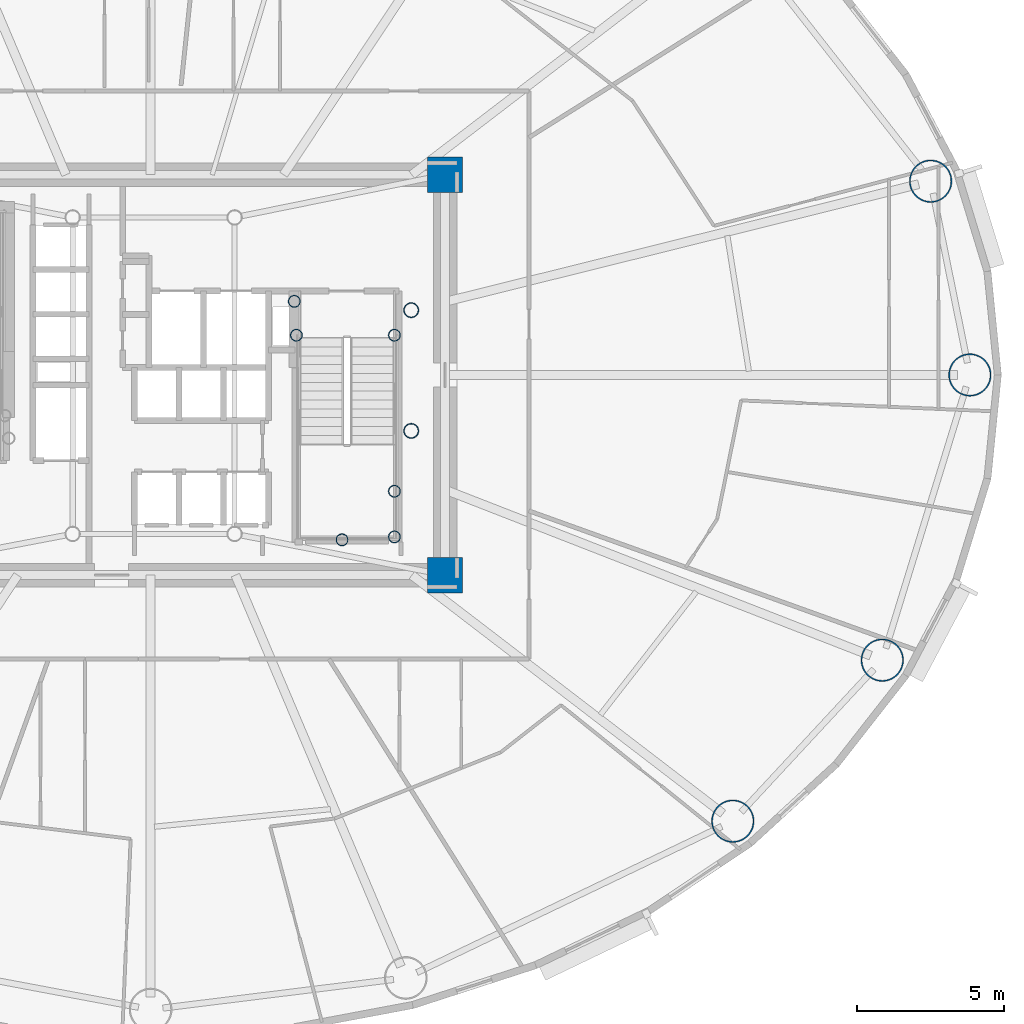
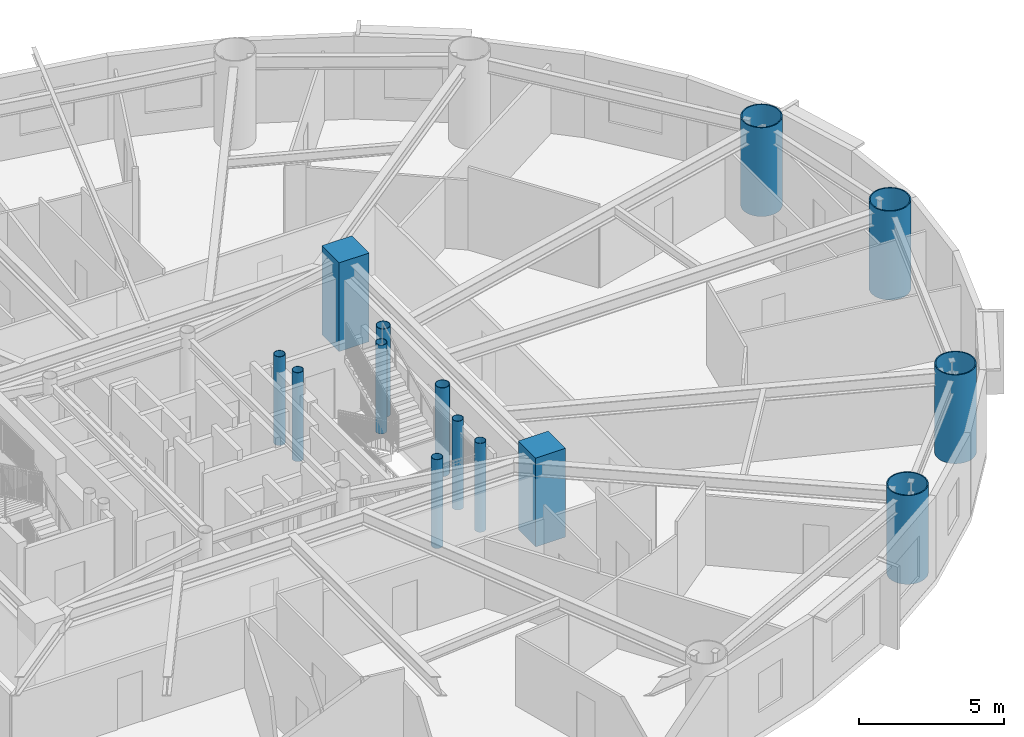
# One storey, part 2 of 18: 14 columns.
"""IFC4 building model written with IfcOpenShell, lengths in metres."""

from ifc_helpers import new_model, si_unit, direction, frame, origin, origin_2d, place, context, subcontext, project, spatial, rectangle, hollow_circle, extrude, material, material_profile, profile_set, type_object, element, save


model = new_model("IFC4")

# Units and contexts
model_context = context("Model", 3, precision=1e-05, world=origin(), true_north=direction((0.0, 1.0)))
body_context = subcontext(model_context, "Body", "Model", "MODEL_VIEW")
ifc_project = project(units=[si_unit("LENGTHUNIT", "METRE"), si_unit("AREAUNIT", "SQUARE_METRE"), si_unit("VOLUMEUNIT", "CUBIC_METRE"), si_unit("PLANEANGLEUNIT", "RADIAN"), si_unit("MASSUNIT", "GRAM", prefix="KILO")], contexts=[model_context])

# Site, building, storey
site_placement = place(None, origin())
site = spatial("IfcSite", under=ifc_project, at=site_placement, CompositionType="ELEMENT")
building_placement = place(site_placement, origin())
building = spatial("IfcBuilding", under=site, at=building_placement, Name="Linh Dai School and Residence Tower", CompositionType="ELEMENT")
storey_placement = place(building_placement, frame((0.0, 0.0, 123.449951171875)))
storey = spatial("IfcBuildingStorey", under=building, at=storey_placement, Name="L29", CompositionType="ELEMENT", Elevation=123.449951171875)

# Columns
ifc_material_1 = material(Name="Concrete B60 (C50/60)", Category="concrete")
ifc_material_profile_1 = material_profile(ifc_material_1, rectangle(XDim=1.199951171875, YDim=1.199951171875, at=origin_2d()), Name="RC 1200x1200")
ifc_profile_set_1 = profile_set([ifc_material_profile_1], Name="Concrete B60 (C50/60)")
column_type_1 = type_object("IfcColumnType", Name="COL-CC2", PredefinedType="COLUMN", material=ifc_profile_set_1)
for number, where, z_axis, x_axis, name in (
    (1, (46.0, 20.199951171875, 0.0), (0.0, 0.0, 1.0), (1.0, 0.0, 0.0), "L29 Core Corner Pier CC2"),
    (2, (46.0, 33.800048828125, 0.0), (0.0, 0.0, 1.0), (1.0, 0.0, 0.0), "L29 Core Corner Pier CC3"),
):
    element("IfcColumn", number, at=place(storey_placement, frame(where, z_axis=z_axis, x_axis=x_axis)), inside=storey, type_object=column_type_1, Name=name, PredefinedType="COLUMN", context=body_context, shape_type="SweptSolid", body=[
        extrude(rectangle(XDim=1.199951171875, YDim=1.199951171875, at=origin_2d()), origin(), (0.0, 0.0, 1.0), 3.75),
    ])
ifc_material_2 = material(Name="Structural Steel S355JR", Category="steel")
ifc_material_profile_2 = material_profile(ifc_material_2, hollow_circle(Radius=0.203125, WallThickness=0.01611328125, at=origin_2d()), Name="CHS 406.4x16")
ifc_profile_set_2 = profile_set([ifc_material_profile_2], Name="Structural Steel S355JR")
column_type_2 = type_object("IfcColumnType", Name="COL-EC", PredefinedType="COLUMN", material=ifc_profile_set_2)
for number, where, z_axis, x_axis, name in (
    (3, (44.280029296875, 21.5, 0.0), (0.0, 0.0, 1.0), (1.0, 0.0, 0.0), "L29 Stair Shaft Landing Support Pier ST2SE"),
    (4, (44.280029296875, 23.050048828125, 0.0), (0.0, 0.0, 1.0), (1.0, 0.0, 0.0), "L29 Stair Shaft Landing Support Pier ST2NE"),
    (5, (42.5, 21.39990234375, 0.0), (0.0, 0.0, 1.0), (1.0, 0.0, 0.0), "L29 Stair Shaft Landing Support Pier ST2MS"),
    (6, (40.949951171875, 28.35009765625, 0.0), (0.0, 0.0, 1.0), (1.0, 0.0, 0.0), "L29 Stair Shaft Landing Support Pier ST2N1"),
    (7, (44.280029296875, 28.35009765625, 0.0), (0.0, 0.0, 1.0), (1.0, 0.0, 0.0), "L29 Stair Shaft Landing Support Pier ST2N2"),
    (8, (40.8798828125, 29.5, 0.0), (0.0, 0.0, 1.0), (1.0, 0.0, 0.0), "L29 Stair Shaft Landing Support Pier ST2N3"),
):
    element("IfcColumn", number, at=place(storey_placement, frame(where, z_axis=z_axis, x_axis=x_axis)), inside=storey, type_object=column_type_2, Name=name, PredefinedType="COLUMN", context=body_context, shape_type="SweptSolid", body=[
        extrude(hollow_circle(Radius=0.203125, WallThickness=0.01611328125, at=origin_2d()), origin(), (0.0, 0.0, 1.0), 3.75),
    ])
ifc_material_profile_3 = material_profile(ifc_material_2, hollow_circle(Radius=0.72509765625, WallThickness=0.0419921875, at=origin_2d()), Name="CHS 1450x42")
ifc_profile_set_3 = profile_set([ifc_material_profile_3], Name="Structural Steel S355JR")
column_type_3 = type_object("IfcColumnType", Name="COL-MC3", PredefinedType="COLUMN", material=ifc_profile_set_3)
for number, where, z_axis, x_axis, name in (
    (9, (63.824951171875, 27.0, 0.0), (0.0, 0.0, 1.0), (1.0, 0.0, 0.0), "L29 Perimeter CFT Mega-Column MC01"),
    (10, (62.49267578125, 33.5810546875, 0.0), (0.0, 0.0, 1.0), (1.0, 0.0, 0.0), "L29 Perimeter CFT Mega-Column MC02"),
    (11, (55.772705078125, 11.844482421875, 0.0), (0.0, 0.0, 1.0), (1.0, 0.0, 0.0), "L29 Perimeter CFT Mega-Column MC15"),
    (12, (60.84912109375, 17.3125, 0.0), (0.0, 0.0, 1.0), (1.0, 0.0, 0.0), "L29 Perimeter CFT Mega-Column MC16"),
):
    element("IfcColumn", number, at=place(storey_placement, frame(where, z_axis=z_axis, x_axis=x_axis)), inside=storey, type_object=column_type_3, Name=name, PredefinedType="COLUMN", context=body_context, shape_type="SweptSolid", body=[
        extrude(hollow_circle(Radius=0.72509765625, WallThickness=0.0419921875, at=origin_2d()), origin(), (0.0, 0.0, 1.0), 3.75),
    ])
ifc_material_profile_4 = material_profile(ifc_material_2, hollow_circle(Radius=0.25390625, WallThickness=0.02001953125, at=origin_2d()), Name="CHS 508x20")
ifc_profile_set_4 = profile_set([ifc_material_profile_4], Name="Structural Steel S355JR")
column_type_4 = type_object("IfcColumnType", Name="COL-MCP", PredefinedType="COLUMN", material=ifc_profile_set_4)
for number, where, z_axis, x_axis, name in (
    (13, (44.85009765625, 25.10009765625, 0.0), (0.0, 0.0, 1.0), (1.0, 0.0, 0.0), "L29 Sky-Lounge Core Anchor Pier S"),
    (14, (44.85009765625, 29.199951171875, 0.0), (0.0, 0.0, 1.0), (1.0, 0.0, 0.0), "L29 Sky-Lounge Core Anchor Pier N"),
):
    element("IfcColumn", number, at=place(storey_placement, frame(where, z_axis=z_axis, x_axis=x_axis)), inside=storey, type_object=column_type_4, Name=name, PredefinedType="COLUMN", context=body_context, shape_type="SweptSolid", body=[
        extrude(hollow_circle(Radius=0.25390625, WallThickness=0.02001953125, at=origin_2d()), origin(), (0.0, 0.0, 1.0), 3.75),
    ])

save(model, "model.ifc")
